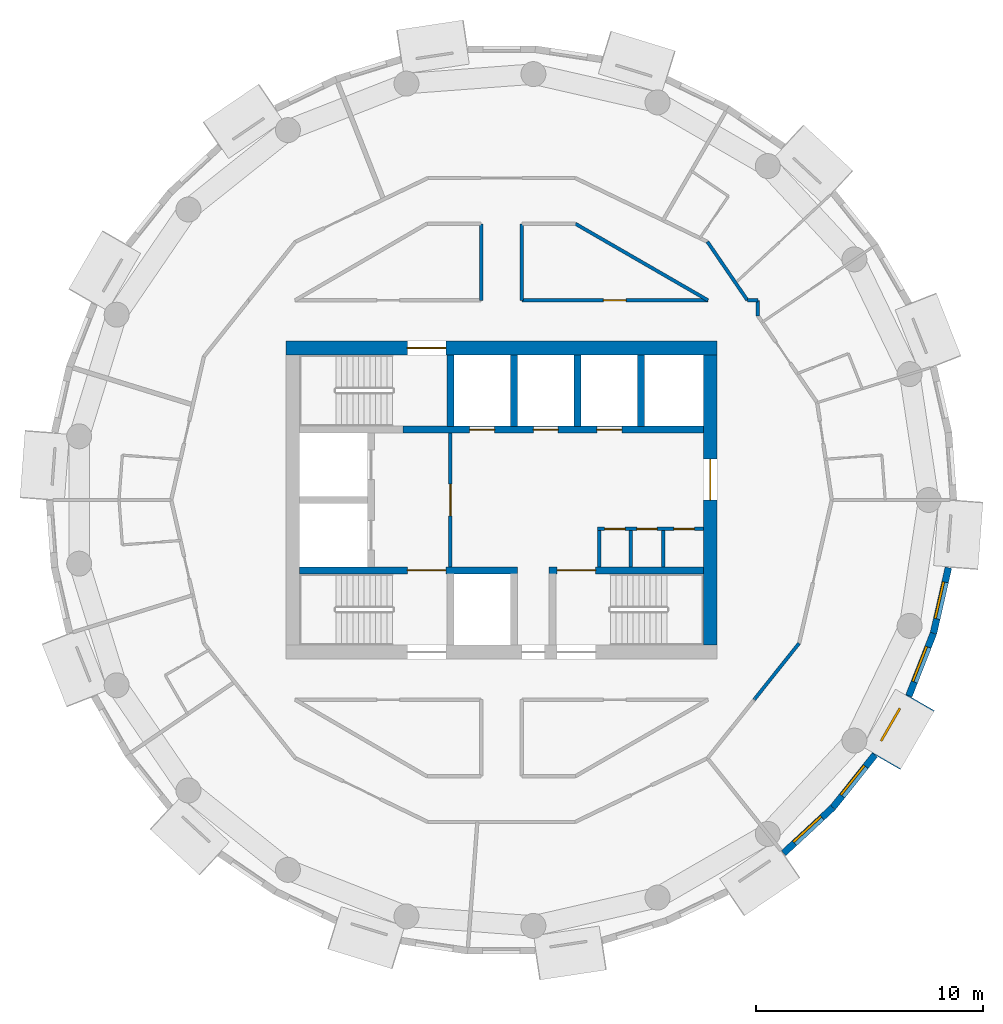
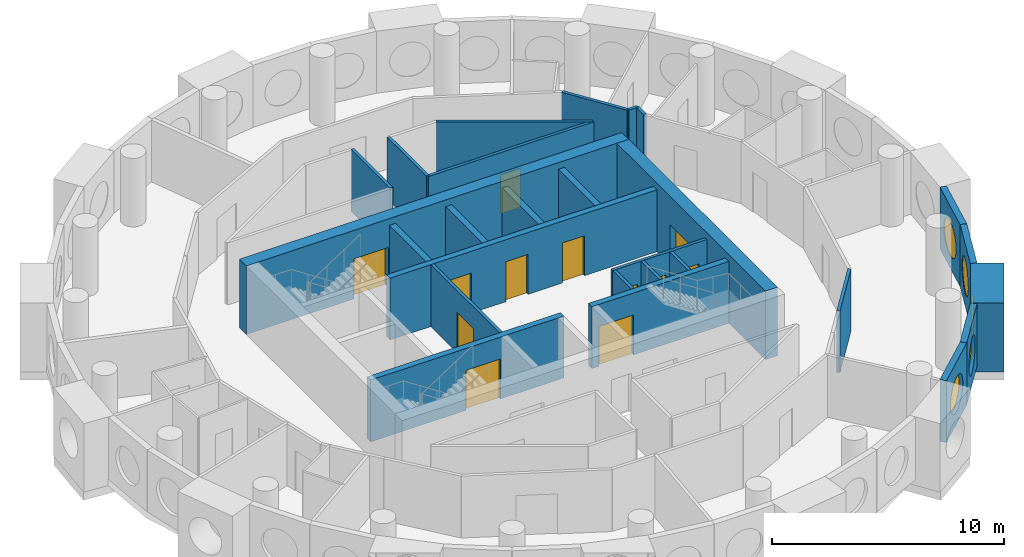
# One storey, part 8 of 12: 27 walls, 12 doors, 5 windows, 17 openings.
"""IFC4 building model written with IfcOpenShell, lengths in metres."""

from ifc_helpers import new_model, si_unit, direction, frame, frame_2d, origin, origin_2d, place, context, subcontext, project, spatial, rectangle, circle, extrude, material, layer, layer_set, type_object, element, fill, save


model = new_model("IFC4")

# Units and contexts
model_context = context("Model", 3, precision=1e-05, world=origin(), true_north=direction((0.0, 1.0)))
body_context = subcontext(model_context, "Body", "Model", "MODEL_VIEW")
ifc_project = project(units=[si_unit("LENGTHUNIT", "METRE"), si_unit("AREAUNIT", "SQUARE_METRE"), si_unit("VOLUMEUNIT", "CUBIC_METRE"), si_unit("PLANEANGLEUNIT", "RADIAN"), si_unit("MASSUNIT", "GRAM", prefix="KILO")], contexts=[model_context])

# Site, building, storey
site_placement = place(None, origin())
site = spatial("IfcSite", under=ifc_project, at=site_placement, CompositionType="ELEMENT")
building_placement = place(site_placement, origin())
building = spatial("IfcBuilding", under=site, at=building_placement, Name="Tracery Tower", CompositionType="ELEMENT")
storey_placement = place(building_placement, frame((0.0, 0.0, 234.60009765625)))
storey = spatial("IfcBuildingStorey", under=building, at=storey_placement, Name="L60", CompositionType="ELEMENT", Elevation=234.60009765625)

# Wall, opening, door
ifc_material_1 = material(Name="Plasterboard on steel studs", Category="steel")
ifc_layer_1 = layer(ifc_material_1, 0.14990234375)
ifc_layer_set_1 = layer_set([ifc_layer_1], Name="Core lobby partition 150")
wall_type_1 = type_object("IfcWallType", Name="Core lobby partition 150", PredefinedType="SOLIDWALL", material=ifc_layer_set_1)
wall_1_placement = place(storey_placement, frame((-2.25, -2.949951171875, 0.0), z_axis=(0.0, 0.0, 1.0), x_axis=(0.0, 1.0, 0.0)))
wall_1 = element("IfcWall", 1, at=wall_1_placement, inside=storey, type_object=wall_type_1, Name="L60 FF lobby E", PredefinedType="SOLIDWALL", context=body_context, shape_type="SweptSolid", body=[
    extrude(rectangle(XDim=5.89990234375, YDim=0.14990234375, at=frame_2d((2.949951171875, 0.0))), origin(), (0.0, 0.0, 1.0), 3.25),
])
opening_1_placement = place(wall_1_placement, frame((2.25, 0.0, 0.0)))
opening_1 = element("IfcOpeningElement", 2, at=opening_1_placement, cuts=wall_1, Name="Opening KD8", PredefinedType="OPENING", context=body_context, shape_type="SweptSolid", body=[
    extrude(rectangle(XDim=1.39990234375, YDim=2.10009765625, at=frame_2d((0.699951171875, 1.050048828125))), frame((0.0, 0.074951171875, 0.0), z_axis=(0.0, -1.0, 0.0), x_axis=(1.0, 0.0, 0.0)), (0.0, 0.0, 1.0), 0.14990234375),
])
ifc_material_2 = material(Name="Steel fire door", Category="steel")
door_type_1 = type_object("IfcDoorType", Name="Core lobby door 1400 double", OperationType="NOTDEFINED", PredefinedType="DOOR", material=ifc_material_2)
door_1_placement = place(opening_1_placement, origin())
door_1 = element("IfcDoor", 3, at=door_1_placement, inside=storey, type_object=door_type_1, Name="Fire-fighting lobby door", OperationType="DOUBLE_DOOR_SINGLE_SWING", OverallHeight=2.10009765625, OverallWidth=1.39990234375, PredefinedType="DOOR", context=body_context, shape_type="SweptSolid", body=[
    extrude(rectangle(XDim=1.39990234375, YDim=2.10009765625, at=frame_2d((0.699951171875, 1.050048828125))), frame((0.0, 0.02490234375, 0.0), z_axis=(0.0, -1.0, 0.0), x_axis=(1.0, 0.0, 0.0)), (0.0, 0.0, 1.0), 0.050048828125),
])
fill(opening_1, door_1)

# Wall
ifc_material_3 = material(Name="Plasterboard on steel studs", Category="steel")
ifc_layer_2 = layer(ifc_material_3, 0.14990234375)
ifc_layer_set_2 = layer_set([ifc_layer_2], Name="Core room partition 150")
wall_type_2 = type_object("IfcWallType", Name="Core room partition 150", PredefinedType="SOLIDWALL", material=ifc_layer_set_2)
wall_2_placement = place(storey_placement, frame((4.300048828125, -2.949951171875, 0.0), z_axis=(0.0, 0.0, 1.0), x_axis=(0.0, 1.0, 0.0)))
element("IfcWall", 4, at=wall_2_placement, inside=storey, type_object=wall_type_2, Name="L60 slot W", PredefinedType="SOLIDWALL", context=body_context, shape_type="SweptSolid", body=[
    extrude(rectangle(XDim=1.599853515625, YDim=0.14990234375, at=frame_2d((0.7998046875, 0.0))), origin(), (0.0, 0.0, 1.0), 3.25),
])

# Wall, openings, doors
wall_3_placement = place(storey_placement, frame((4.22509765625, -1.27490234375, 0.0), z_axis=(0.0, 0.0, 1.0), x_axis=(1.0, 0.0, 0.0)))
wall_3 = element("IfcWall", 5, at=wall_3_placement, inside=storey, type_object=wall_type_2, Name="L60 slot N", PredefinedType="SOLIDWALL", context=body_context, shape_type="SweptSolid", body=[
    extrude(rectangle(XDim=4.6748046875, YDim=0.14990234375, at=frame_2d((2.33740234375, 0.0))), origin(), (0.0, 0.0, 1.0), 3.25),
])
opening_2_placement = place(wall_3_placement, frame((0.324951171875, 0.0, 0.0)))
opening_2 = element("IfcOpeningElement", 6, at=opening_2_placement, cuts=wall_3, Name="Opening KD27", PredefinedType="OPENING", context=body_context, shape_type="SweptSolid", body=[
    extrude(rectangle(XDim=0.89990234375, YDim=2.10009765625, at=frame_2d((0.449951171875, 1.050048828125))), frame((0.0, 0.074951171875, 0.0), z_axis=(0.0, -1.0, 0.0), x_axis=(1.0, 0.0, 0.0)), (0.0, 0.0, 1.0), 0.14990234375),
])
opening_3_placement = place(wall_3_placement, frame((1.737548828125, 0.0, 0.0)))
opening_3 = element("IfcOpeningElement", 7, at=opening_3_placement, cuts=wall_3, Name="Opening KD26", PredefinedType="OPENING", context=body_context, shape_type="SweptSolid", body=[
    extrude(rectangle(XDim=0.89990234375, YDim=2.10009765625, at=frame_2d((0.449951171875, 1.050048828125))), frame((0.0, 0.074951171875, 0.0), z_axis=(0.0, -1.0, 0.0), x_axis=(1.0, 0.0, 0.0)), (0.0, 0.0, 1.0), 0.14990234375),
])
opening_4_placement = place(wall_3_placement, frame((3.375, 0.0, 0.0)))
opening_4 = element("IfcOpeningElement", 8, at=opening_4_placement, cuts=wall_3, Name="Opening KD22", PredefinedType="OPENING", context=body_context, shape_type="SweptSolid", body=[
    extrude(rectangle(XDim=0.89990234375, YDim=2.10009765625, at=frame_2d((0.449951171875, 1.050048828125))), frame((0.0, 0.074951171875, 0.0), z_axis=(0.0, -1.0, 0.0), x_axis=(1.0, 0.0, 0.0)), (0.0, 0.0, 1.0), 0.14990234375),
])
ifc_material_4 = material(Name="Timber door leaf", Category="wood")
door_type_2 = type_object("IfcDoorType", Name="Core WC door 900", OperationType="NOTDEFINED", PredefinedType="DOOR", material=ifc_material_4)
door_2_placement = place(opening_4_placement, origin())
door_2 = element("IfcDoor", 9, at=door_2_placement, inside=storey, type_object=door_type_2, Name="Core door", OperationType="SINGLE_SWING_RIGHT", OverallHeight=2.10009765625, OverallWidth=0.89990234375, PredefinedType="DOOR", context=body_context, shape_type="SweptSolid", body=[
    extrude(rectangle(XDim=0.89990234375, YDim=2.10009765625, at=frame_2d((0.449951171875, 1.050048828125))), frame((0.0, 0.02490234375, 0.0), z_axis=(0.0, -1.0, 0.0), x_axis=(1.0, 0.0, 0.0)), (0.0, 0.0, 1.0), 0.050048828125),
])
fill(opening_4, door_2)
ifc_material_5 = material(Name="Timber door leaf", Category="wood")
door_type_3 = type_object("IfcDoorType", Name="Core store door 900", OperationType="NOTDEFINED", PredefinedType="DOOR", material=ifc_material_5)
door_3_placement = place(opening_2_placement, origin())
door_3 = element("IfcDoor", 10, at=door_3_placement, inside=storey, type_object=door_type_3, Name="Core door", OperationType="SINGLE_SWING_RIGHT", OverallHeight=2.10009765625, OverallWidth=0.89990234375, PredefinedType="DOOR", context=body_context, shape_type="SweptSolid", body=[
    extrude(rectangle(XDim=0.89990234375, YDim=2.10009765625, at=frame_2d((0.449951171875, 1.050048828125))), frame((0.0, 0.02490234375, 0.0), z_axis=(0.0, -1.0, 0.0), x_axis=(1.0, 0.0, 0.0)), (0.0, 0.0, 1.0), 0.050048828125),
])
fill(opening_2, door_3)
door_4_placement = place(opening_3_placement, origin())
door_4 = element("IfcDoor", 11, at=door_4_placement, inside=storey, type_object=door_type_3, Name="Core door", OperationType="SINGLE_SWING_LEFT", OverallHeight=2.10009765625, OverallWidth=0.89990234375, PredefinedType="DOOR", context=body_context, shape_type="SweptSolid", body=[
    extrude(rectangle(XDim=0.89990234375, YDim=2.10009765625, at=frame_2d((0.449951171875, 1.050048828125))), frame((0.0, 0.02490234375, 0.0), z_axis=(0.0, -1.0, 0.0), x_axis=(1.0, 0.0, 0.0)), (0.0, 0.0, 1.0), 0.050048828125),
])
fill(opening_3, door_4)

# Walls
for number, where, z_axis, x_axis, name in (
    (12, (5.699951171875, -2.949951171875, 0.0), (0.0, 0.0, 1.0), (0.0, 1.0, 0.0), "L60 slot sep 1"),
    (13, (7.125, -2.949951171875, 0.0), (0.0, 0.0, 1.0), (0.0, 1.0, 0.0), "L60 slot sep 2"),
):
    element("IfcWall", number, at=place(storey_placement, frame(where, z_axis=z_axis, x_axis=x_axis)), inside=storey, type_object=wall_type_2, Name=name, PredefinedType="SOLIDWALL", context=body_context, shape_type="SweptSolid", body=[
        extrude(rectangle(XDim=1.599853515625, YDim=0.14990234375, at=frame_2d((0.7998046875, 0.0))), origin(), (0.0, 0.0, 1.0), 3.25),
    ])

# Wall, opening, door
ifc_material_6 = material(Name="Concrete C40/50", Category="concrete")
ifc_layer_3 = layer(ifc_material_6, 0.60009765625)
ifc_layer_set_3 = layer_set([ifc_layer_3], Name="Core wall 600 C40")
wall_type_3 = type_object("IfcWallType", Name="Core wall 600 C40", PredefinedType="SOLIDWALL", material=ifc_layer_set_3)
wall_4_placement = place(storey_placement, frame((-9.5, 6.699951171875, 0.0), z_axis=(0.0, 0.0, 1.0), x_axis=(1.0, 0.0, 0.0)))
wall_4 = element("IfcWall", 14, at=wall_4_placement, inside=storey, type_object=wall_type_3, Name="L60 outer N", PredefinedType="SOLIDWALL", context=body_context, shape_type="SweptSolid", body=[
    extrude(rectangle(XDim=19.0, YDim=0.60009765625, at=frame_2d((9.5, 0.0))), origin(), (0.0, 0.0, 1.0), 3.599853515625),
])
opening_5_placement = place(wall_4_placement, frame((5.35009765625, 0.0, 0.0)))
opening_5 = element("IfcOpeningElement", 15, at=opening_5_placement, cuts=wall_4, Name="Opening KD3", PredefinedType="OPENING", context=body_context, shape_type="SweptSolid", body=[
    extrude(rectangle(XDim=1.699951171875, YDim=2.10009765625, at=frame_2d((0.85009765625, 1.050048828125))), frame((0.0, 0.300048828125, 0.0), z_axis=(0.0, -1.0, 0.0), x_axis=(1.0, 0.0, 0.0)), (0.0, 0.0, 1.0), 0.60009765625),
])
ifc_material_7 = material(Name="Steel fire door", Category="steel")
door_type_4 = type_object("IfcDoorType", Name="Core stair door 1700 double", OperationType="NOTDEFINED", PredefinedType="DOOR", material=ifc_material_7)
door_5_placement = place(opening_5_placement, origin())
door_5 = element("IfcDoor", 16, at=door_5_placement, inside=storey, type_object=door_type_4, Name="Stair door ST3 exit", OperationType="DOUBLE_DOOR_SINGLE_SWING", OverallHeight=2.10009765625, OverallWidth=1.699951171875, PredefinedType="DOOR", context=body_context, shape_type="SweptSolid", body=[
    extrude(rectangle(XDim=1.699951171875, YDim=2.10009765625, at=frame_2d((0.85009765625, 1.050048828125))), frame((0.0, 0.02490234375, 0.0), z_axis=(0.0, -1.0, 0.0), x_axis=(1.0, 0.0, 0.0)), (0.0, 0.0, 1.0), 0.050048828125),
])
fill(opening_5, door_5)

wall_5_placement = place(storey_placement, frame((9.199951171875, -6.39990234375, 0.0), z_axis=(0.0, 0.0, 1.0), x_axis=(0.0, 1.0, 0.0)))
wall_5 = element("IfcWall", 17, at=wall_5_placement, inside=storey, type_object=wall_type_3, Name="L60 outer E", PredefinedType="SOLIDWALL", context=body_context, shape_type="SweptSolid", body=[
    extrude(rectangle(XDim=12.7998046875, YDim=0.60009765625, at=frame_2d((6.39990234375, 0.0))), origin(), (0.0, 0.0, 1.0), 3.599853515625),
])
opening_6_placement = place(wall_5_placement, frame((6.39990234375, 0.0, 0.0)))
opening_6 = element("IfcOpeningElement", 18, at=opening_6_placement, cuts=wall_5, Name="Opening KD13", PredefinedType="OPENING", context=body_context, shape_type="SweptSolid", body=[
    extrude(rectangle(XDim=1.800048828125, YDim=2.10009765625, at=frame_2d((0.89990234375, 1.050048828125))), frame((0.0, 0.300048828125, 0.0), z_axis=(0.0, -1.0, 0.0), x_axis=(1.0, 0.0, 0.0)), (0.0, 0.0, 1.0), 0.60009765625),
])
ifc_material_8 = material(Name="Steel fire door", Category="steel")
door_type_5 = type_object("IfcDoorType", Name="Core exit door 1800 double", OperationType="NOTDEFINED", PredefinedType="DOOR", material=ifc_material_8)
door_6_placement = place(opening_6_placement, origin())
door_6 = element("IfcDoor", 19, at=door_6_placement, inside=storey, type_object=door_type_5, Name="Core exit door", OperationType="DOUBLE_DOOR_SINGLE_SWING", OverallHeight=2.10009765625, OverallWidth=1.800048828125, PredefinedType="DOOR", context=body_context, shape_type="SweptSolid", body=[
    extrude(rectangle(XDim=1.800048828125, YDim=2.10009765625, at=frame_2d((0.89990234375, 1.050048828125))), frame((0.0, 0.02490234375, 0.0), z_axis=(0.0, -1.0, 0.0), x_axis=(1.0, 0.0, 0.0)), (0.0, 0.0, 1.0), 0.050048828125),
])
fill(opening_6, door_6)

# Wall, opening, window
ifc_material_9 = material(Name="Precast concrete C50/60", Category="concrete")
ifc_layer_4 = layer(ifc_material_9, 1.449951171875)
ifc_layer_set_4 = layer_set([ifc_layer_4], Name="Deep-set bay unit 3000 x 3600, slab edge 350")
wall_type_4 = type_object("IfcWallType", Name="Deep-set bay unit 3000 x 3600, slab edge 350", PredefinedType="ELEMENTEDWALL", material=ifc_layer_set_4)
wall_6_placement = place(storey_placement, frame((16.952392578125, -11.51953125, -0.35009765625), z_axis=(0.0, 0.0, 1.0), x_axis=(0.499990139034, 0.866031096941, 0.0)))
wall_6 = element("IfcWall", 20, at=wall_6_placement, inside=storey, type_object=wall_type_4, Name="Deep-set bay unit 39 at L60", PredefinedType="ELEMENTEDWALL", context=body_context, shape_type="SweptSolid", body=[
    extrude(rectangle(XDim=3.0, YDim=1.449951171875, at=frame_2d((1.5, 0.0))), origin(), (0.0, 0.0, 1.0), 3.60009765625),
])
opening_7_placement = place(wall_6_placement, frame((1.5, 0.0, 1.89990234375)))
opening_7 = element("IfcOpeningElement", 21, at=opening_7_placement, cuts=wall_6, Name="Opening WN1", PredefinedType="OPENING", context=body_context, shape_type="SweptSolid", body=[
    extrude(circle(Radius=0.9000244140625, at=origin_2d()), frame((0.0, 0.73486328125, 0.0), z_axis=(0.0, -1.0, 0.0), x_axis=(1.0, 0.0, 0.0)), (0.0, 0.0, 1.0), 1.469970703125),
])
ifc_material_10 = material(Name="Aluminium frame with tinted double glazing", Category="aluminium")
window_type = type_object("IfcWindowType", Name="Round window 1800", PartitioningType="SINGLE_PANEL", PredefinedType="WINDOW", material=ifc_material_10)
window_1_placement = place(opening_7_placement, origin())
window_1 = element("IfcWindow", 22, at=window_1_placement, inside=storey, type_object=window_type, Name="Round window 39 at L60", OverallHeight=1.800048828125, OverallWidth=1.800048828125, PartitioningType="SINGLE_PANEL", PredefinedType="WINDOW", context=body_context, shape_type="SweptSolid", body=[
    extrude(circle(Radius=0.9000244140625, at=origin_2d()), frame((0.0, 0.69482421875, 0.0), z_axis=(0.0, -1.0, 0.0), x_axis=(1.0, 0.0, 0.0)), (0.0, 0.0, 1.0), 0.10009765625),
])
fill(opening_7, window_1)

ifc_material_11 = material(Name="Precast concrete C50/60", Category="concrete")
ifc_layer_5 = layer(ifc_material_11, 0.300048828125)
ifc_layer_set_5 = layer_set([ifc_layer_5], Name="Facade panel 3000 x 3250")
wall_type_5 = type_object("IfcWallType", Name="Facade panel 3000 x 3250", PredefinedType="SOLIDWALL", material=ifc_layer_set_5)
wall_7_placement = place(storey_placement, frame((12.43212890625, -15.565185546875, 0.0), z_axis=(0.0, 0.0, 1.0), x_axis=(0.733066412643, 0.680157066165, 0.0)))
wall_7 = element("IfcWall", 23, at=wall_7_placement, inside=storey, type_object=wall_type_5, Name="Facade panel 37 at L60", PredefinedType="SOLIDWALL", context=body_context, shape_type="SweptSolid", body=[
    extrude(rectangle(XDim=2.96240234375, YDim=0.300048828125, at=frame_2d((1.481201171875, 0.0))), origin(), (0.0, 0.0, 1.0), 3.25),
])
opening_8_placement = place(wall_7_placement, frame((1.48095703125, 0.0, 1.5498046875)))
opening_8 = element("IfcOpeningElement", 24, at=opening_8_placement, cuts=wall_7, Name="Opening WN1", PredefinedType="OPENING", context=body_context, shape_type="SweptSolid", body=[
    extrude(circle(Radius=0.9000244140625, at=origin_2d()), frame((0.0, 0.159912109375, 0.0), z_axis=(0.0, -1.0, 0.0), x_axis=(1.0, 0.0, 0.0)), (0.0, 0.0, 1.0), 0.320068359375),
])
window_2_placement = place(opening_8_placement, origin())
window_2 = element("IfcWindow", 25, at=window_2_placement, inside=storey, type_object=window_type, Name="Round window 37 at L60", OverallHeight=1.800048828125, OverallWidth=1.800048828125, PartitioningType="SINGLE_PANEL", PredefinedType="WINDOW", context=body_context, shape_type="SweptSolid", body=[
    extrude(circle(Radius=0.9000244140625, at=origin_2d()), frame((0.0, 0.1201171875, 0.0), z_axis=(0.0, -1.0, 0.0), x_axis=(1.0, 0.0, 0.0)), (0.0, 0.0, 1.0), 0.10009765625),
])
fill(opening_8, window_2)

wall_8_placement = place(storey_placement, frame((14.603759765625, -13.55029296875, 0.0), z_axis=(0.0, 0.0, 1.0), x_axis=(0.623498236992, 0.781824755599, 0.0)))
wall_8 = element("IfcWall", 26, at=wall_8_placement, inside=storey, type_object=wall_type_5, Name="Facade panel 38 at L60", PredefinedType="SOLIDWALL", context=body_context, shape_type="SweptSolid", body=[
    extrude(rectangle(XDim=2.962158203125, YDim=0.300048828125, at=frame_2d((1.48095703125, 0.0))), origin(), (0.0, 0.0, 1.0), 3.25),
])
opening_9_placement = place(wall_8_placement, frame((1.48095703125, 0.0, 1.5498046875)))
opening_9 = element("IfcOpeningElement", 27, at=opening_9_placement, cuts=wall_8, Name="Opening WN1", PredefinedType="OPENING", context=body_context, shape_type="SweptSolid", body=[
    extrude(circle(Radius=0.9000244140625, at=origin_2d()), frame((0.0, 0.159912109375, 0.0), z_axis=(0.0, -1.0, 0.0), x_axis=(1.0, 0.0, 0.0)), (0.0, 0.0, 1.0), 0.320068359375),
])
window_3_placement = place(opening_9_placement, origin())
window_3 = element("IfcWindow", 28, at=window_3_placement, inside=storey, type_object=window_type, Name="Round window 38 at L60", OverallHeight=1.800048828125, OverallWidth=1.800048828125, PartitioningType="SINGLE_PANEL", PredefinedType="WINDOW", context=body_context, shape_type="SweptSolid", body=[
    extrude(circle(Radius=0.9000244140625, at=origin_2d()), frame((0.0, 0.1201171875, 0.0), z_axis=(0.0, -1.0, 0.0), x_axis=(1.0, 0.0, 0.0)), (0.0, 0.0, 1.0), 0.10009765625),
])
fill(opening_9, window_3)

wall_9_placement = place(storey_placement, frame((17.95458984375, -8.62939453125, 0.0), z_axis=(0.0, 0.0, 1.0), x_axis=(0.36530043032, 0.930889679612, 0.0)))
wall_9 = element("IfcWall", 29, at=wall_9_placement, inside=storey, type_object=wall_type_5, Name="Facade panel 40 at L60", PredefinedType="SOLIDWALL", context=body_context, shape_type="SweptSolid", body=[
    extrude(rectangle(XDim=2.9619140625, YDim=0.300048828125, at=frame_2d((1.48095703125, 0.0))), origin(), (0.0, 0.0, 1.0), 3.25),
])
opening_10_placement = place(wall_9_placement, frame((1.48095703125, 0.0, 1.5498046875)))
opening_10 = element("IfcOpeningElement", 30, at=opening_10_placement, cuts=wall_9, Name="Opening WN1", PredefinedType="OPENING", context=body_context, shape_type="SweptSolid", body=[
    extrude(circle(Radius=0.9000244140625, at=origin_2d()), frame((0.0, 0.159912109375, 0.0), z_axis=(0.0, -1.0, 0.0), x_axis=(1.0, 0.0, 0.0)), (0.0, 0.0, 1.0), 0.320068359375),
])
window_4_placement = place(opening_10_placement, origin())
window_4 = element("IfcWindow", 31, at=window_4_placement, inside=storey, type_object=window_type, Name="Round window 40 at L60", OverallHeight=1.800048828125, OverallWidth=1.800048828125, PartitioningType="SINGLE_PANEL", PredefinedType="WINDOW", context=body_context, shape_type="SweptSolid", body=[
    extrude(circle(Radius=0.9000244140625, at=origin_2d()), frame((0.0, 0.1201171875, 0.0), z_axis=(0.0, -1.0, 0.0), x_axis=(1.0, 0.0, 0.0)), (0.0, 0.0, 1.0), 0.10009765625),
])
fill(opening_10, window_4)

wall_10_placement = place(storey_placement, frame((19.03662109375, -5.8720703125, 0.0), z_axis=(0.0, 0.0, 1.0), x_axis=(0.222529389789, 0.974925982155, 0.0)))
wall_10 = element("IfcWall", 32, at=wall_10_placement, inside=storey, type_object=wall_type_5, Name="Facade panel 41 at L60", PredefinedType="SOLIDWALL", context=body_context, shape_type="SweptSolid", body=[
    extrude(rectangle(XDim=2.962158203125, YDim=0.300048828125, at=frame_2d((1.48095703125, 0.0))), origin(), (0.0, 0.0, 1.0), 3.25),
])
opening_11_placement = place(wall_10_placement, frame((1.48095703125, 0.0, 1.5498046875)))
opening_11 = element("IfcOpeningElement", 33, at=opening_11_placement, cuts=wall_10, Name="Opening WN1", PredefinedType="OPENING", context=body_context, shape_type="SweptSolid", body=[
    extrude(circle(Radius=0.9000244140625, at=origin_2d()), frame((0.0, 0.159912109375, 0.0), z_axis=(0.0, -1.0, 0.0), x_axis=(1.0, 0.0, 0.0)), (0.0, 0.0, 1.0), 0.320068359375),
])
window_5_placement = place(opening_11_placement, origin())
window_5 = element("IfcWindow", 34, at=window_5_placement, inside=storey, type_object=window_type, Name="Round window 41 at L60", OverallHeight=1.800048828125, OverallWidth=1.800048828125, PartitioningType="SINGLE_PANEL", PredefinedType="WINDOW", context=body_context, shape_type="SweptSolid", body=[
    extrude(circle(Radius=0.9000244140625, at=origin_2d()), frame((0.0, 0.1201171875, 0.0), z_axis=(0.0, -1.0, 0.0), x_axis=(1.0, 0.0, 0.0)), (0.0, 0.0, 1.0), 0.10009765625),
])
fill(opening_11, window_5)

# Wall, opening, door
ifc_material_12 = material(Name="Plasterboard on steel studs", Category="steel")
ifc_layer_6 = layer(ifc_material_12, 0.14990234375)
ifc_layer_set_6 = layer_set([ifc_layer_6], Name="Partition 150 corridor wall")
wall_type_6 = type_object("IfcWallType", Name="Partition 150 corridor wall", PredefinedType="PARTITIONING", material=ifc_layer_set_6)
wall_11_placement = place(storey_placement, frame((0.89599609375, 8.800048828125, 0.0), z_axis=(0.0, 0.0, 1.0), x_axis=(1.0, 0.0, 0.0)))
wall_11 = element("IfcWall", 35, at=wall_11_placement, inside=storey, type_object=wall_type_6, Name="Corridor wall RC1-003", PredefinedType="PARTITIONING", context=body_context, shape_type="SweptSolid", body=[
    extrude(rectangle(XDim=8.20458984375, YDim=0.14990234375, at=frame_2d((4.102294921875, 0.0))), origin(), (0.0, 0.0, 1.0), 3.25),
])
opening_12_placement = place(wall_11_placement, frame((3.597900390625, 0.0, 0.0)))
opening_12 = element("IfcOpeningElement", 36, at=opening_12_placement, cuts=wall_11, Name="Opening RC1-02", PredefinedType="OPENING", context=body_context, shape_type="SweptSolid", body=[
    extrude(rectangle(XDim=1.0, YDim=2.0400390625, at=frame_2d((0.5, 1.02001953125))), frame((0.0, 0.074951171875, 0.0), z_axis=(0.0, -1.0, 0.0), x_axis=(1.0, 0.0, 0.0)), (0.0, 0.0, 1.0), 0.14990234375),
])
ifc_material_13 = material(Name="Timber door leaf", Category="wood")
door_type_6 = type_object("IfcDoorType", Name="Door communal room 1000", OperationType="NOTDEFINED", PredefinedType="DOOR", material=ifc_material_13)
door_7_placement = place(opening_12_placement, origin())
door_7 = element("IfcDoor", 37, at=door_7_placement, inside=storey, type_object=door_type_6, Name="Communal room door RC1-02", OperationType="SINGLE_SWING_RIGHT", OverallHeight=2.0400390625, OverallWidth=1.0, PredefinedType="DOOR", context=body_context, shape_type="SweptSolid", body=[
    extrude(rectangle(XDim=1.0, YDim=2.0400390625, at=frame_2d((0.5, 1.02001953125))), frame((0.0, 0.02490234375, 0.0), z_axis=(0.0, -1.0, 0.0), x_axis=(1.0, 0.0, 0.0)), (0.0, 0.0, 1.0), 0.050048828125),
])
fill(opening_12, door_7)

# Walls
wall_12_placement = place(storey_placement, frame((9.075439453125, 11.380615234375, 0.0), z_axis=(0.0, 0.0, 1.0), x_axis=(0.564277533473, -0.825585165333, 0.0)))
element("IfcWall", 38, at=wall_12_placement, inside=storey, type_object=wall_type_6, Name="Corridor wall RC1-005", PredefinedType="PARTITIONING", context=body_context, shape_type="SweptSolid", body=[
    extrude(rectangle(XDim=3.123291015625, YDim=0.14990234375, at=frame_2d((1.5615234375, 0.0))), origin(), (0.0, 0.0, 1.0), 3.25),
])
wall_13_placement = place(storey_placement, frame((10.839111328125, 8.800048828125, 0.0), z_axis=(0.0, 0.0, 1.0), x_axis=(1.0, 0.0, 0.0)))
element("IfcWall", 39, at=wall_13_placement, inside=storey, type_object=wall_type_6, Name="Corridor wall RC1-006", PredefinedType="PARTITIONING", context=body_context, shape_type="SweptSolid", body=[
    extrude(rectangle(XDim=0.4609375, YDim=0.14990234375, at=frame_2d((0.23046875, 0.0))), origin(), (0.0, 0.0, 1.0), 3.25),
])
wall_14_placement = place(storey_placement, frame((11.300048828125, 8.113037109375, 0.0), z_axis=(0.0, 0.0, 1.0), x_axis=(0.0, 1.0, 0.0)))
element("IfcWall", 40, at=wall_14_placement, inside=storey, type_object=wall_type_6, Name="Corridor wall RC1-007", PredefinedType="PARTITIONING", context=body_context, shape_type="SweptSolid", body=[
    extrude(rectangle(XDim=0.68701171875, YDim=0.14990234375, at=frame_2d((0.343505859375, 0.0))), origin(), (0.0, 0.0, 1.0), 3.25),
])
wall_15_placement = place(storey_placement, frame((11.134033203125, -8.800048828125, 0.0), z_axis=(0.0, 0.0, 1.0), x_axis=(0.623476099415, 0.781842409606, 0.0)))
element("IfcWall", 41, at=wall_15_placement, inside=storey, type_object=wall_type_6, Name="Corridor wall RC1-024", PredefinedType="PARTITIONING", context=body_context, shape_type="SweptSolid", body=[
    extrude(rectangle(XDim=3.17724609375, YDim=0.14990234375, at=frame_2d((1.588623046875, 0.0))), origin(), (0.0, 0.0, 1.0), 3.25),
])
wall_16_placement = place(storey_placement, frame((-0.89990234375, 8.800048828125, 0.0), z_axis=(0.0, 0.0, 1.0), x_axis=(0.0, 1.0, 0.0)))
element("IfcWall", 42, at=wall_16_placement, inside=storey, type_object=wall_type_6, Name="Corridor wall RC1-025", PredefinedType="PARTITIONING", context=body_context, shape_type="SweptSolid", body=[
    extrude(rectangle(XDim=3.370849609375, YDim=0.14990234375, at=frame_2d((1.685546875, 0.0))), origin(), (0.0, 0.0, 1.0), 3.25),
])
wall_17_placement = place(storey_placement, frame((3.260986328125, 12.1708984375, 0.0), z_axis=(0.0, 0.0, 1.0), x_axis=(0.866066809554, -0.499928276245, 0.0)))
element("IfcWall", 43, at=wall_17_placement, inside=storey, type_object=wall_type_6, Name="Corridor wall RC1-027", PredefinedType="PARTITIONING", context=body_context, shape_type="SweptSolid", body=[
    extrude(rectangle(XDim=6.74267578125, YDim=0.14990234375, at=frame_2d((3.371337890625, 0.0))), origin(), (0.0, 0.0, 1.0), 3.25),
])
wall_18_placement = place(storey_placement, frame((0.89990234375, 8.800048828125, 0.0), z_axis=(0.0, 0.0, 1.0), x_axis=(0.0, 1.0, 0.0)))
element("IfcWall", 44, at=wall_18_placement, inside=storey, type_object=wall_type_6, Name="Corridor wall RC1-029", PredefinedType="PARTITIONING", context=body_context, shape_type="SweptSolid", body=[
    extrude(rectangle(XDim=3.370849609375, YDim=0.14990234375, at=frame_2d((1.685546875, 0.0))), origin(), (0.0, 0.0, 1.0), 3.25),
])
ifc_material_14 = material(Name="Concrete C40/50", Category="concrete")
ifc_layer_7 = layer(ifc_material_14, 0.300048828125)
ifc_layer_set_7 = layer_set([ifc_layer_7], Name="Shaft wall 300 C40")
wall_type_7 = type_object("IfcWallType", Name="Shaft wall 300 C40", PredefinedType="SOLIDWALL", material=ifc_layer_set_7)
for number, where, z_axis, x_axis, name in (
    (45, (0.550048828125, 3.25, 0.0), (0.0, 0.0, 1.0), (0.0, 1.0, 0.0), "L60 HR sep 1"),
    (46, (3.35009765625, 3.25, 0.0), (0.0, 0.0, 1.0), (0.0, 1.0, 0.0), "L60 HR sep 2"),
    (47, (6.14990234375, 3.25, 0.0), (0.0, 0.0, 1.0), (0.0, 1.0, 0.0), "L60 HR sep 3"),
):
    element("IfcWall", number, at=place(storey_placement, frame(where, z_axis=z_axis, x_axis=x_axis)), inside=storey, type_object=wall_type_7, Name=name, PredefinedType="SOLIDWALL", context=body_context, shape_type="SweptSolid", body=[
        extrude(rectangle(XDim=3.14990234375, YDim=0.300048828125, at=frame_2d((1.574951171875, 0.0))), origin(), (0.0, 0.0, 1.0), 3.25),
    ])

# Wall, opening, door
ifc_material_15 = material(Name="Concrete C40/50", Category="concrete")
ifc_layer_8 = layer(ifc_material_15, 0.300048828125)
ifc_layer_set_8 = layer_set([ifc_layer_8], Name="Stair wall 300 C40")
wall_type_8 = type_object("IfcWallType", Name="Stair wall 300 C40", PredefinedType="SOLIDWALL", material=ifc_layer_set_8)
wall_19_placement = place(storey_placement, frame((-8.89990234375, -3.10009765625, 0.0), z_axis=(0.0, 0.0, 1.0), x_axis=(1.0, 0.0, 0.0)))
wall_19 = element("IfcWall", 48, at=wall_19_placement, inside=storey, type_object=wall_type_8, Name="L60 row S", PredefinedType="SOLIDWALL", context=body_context, shape_type="SweptSolid", body=[
    extrude(rectangle(XDim=9.599853515625, YDim=0.300048828125, at=frame_2d((4.7998046875, 0.0))), origin(), (0.0, 0.0, 1.0), 3.25),
])
opening_13_placement = place(wall_19_placement, frame((4.75, 0.0, 0.0)))
opening_13 = element("IfcOpeningElement", 49, at=opening_13_placement, cuts=wall_19, Name="Opening KD3", PredefinedType="OPENING", context=body_context, shape_type="SweptSolid", body=[
    extrude(rectangle(XDim=1.699951171875, YDim=2.10009765625, at=frame_2d((0.85009765625, 1.050048828125))), frame((0.0, 0.14990234375, 0.0), z_axis=(0.0, -1.0, 0.0), x_axis=(1.0, 0.0, 0.0)), (0.0, 0.0, 1.0), 0.300048828125),
])
door_8_placement = place(opening_13_placement, origin())
door_8 = element("IfcDoor", 50, at=door_8_placement, inside=storey, type_object=door_type_4, Name="Stair door ST1", OperationType="DOUBLE_DOOR_SINGLE_SWING", OverallHeight=2.10009765625, OverallWidth=1.699951171875, PredefinedType="DOOR", context=body_context, shape_type="SweptSolid", body=[
    extrude(rectangle(XDim=1.699951171875, YDim=2.10009765625, at=frame_2d((0.85009765625, 1.050048828125))), frame((0.0, 0.02490234375, 0.0), z_axis=(0.0, -1.0, 0.0), x_axis=(1.0, 0.0, 0.0)), (0.0, 0.0, 1.0), 0.050048828125),
])
fill(opening_13, door_8)

wall_20_placement = place(storey_placement, frame((2.10009765625, -3.10009765625, 0.0), z_axis=(0.0, 0.0, 1.0), x_axis=(1.0, 0.0, 0.0)))
wall_20 = element("IfcWall", 51, at=wall_20_placement, inside=storey, type_object=wall_type_8, Name="L60 row S E", PredefinedType="SOLIDWALL", context=body_context, shape_type="SweptSolid", body=[
    extrude(rectangle(XDim=6.7998046875, YDim=0.300048828125, at=frame_2d((3.39990234375, 0.0))), origin(), (0.0, 0.0, 1.0), 3.25),
])
opening_14_placement = place(wall_20_placement, frame((0.35009765625, 0.0, 0.0)))
opening_14 = element("IfcOpeningElement", 52, at=opening_14_placement, cuts=wall_20, Name="Opening KD3", PredefinedType="OPENING", context=body_context, shape_type="SweptSolid", body=[
    extrude(rectangle(XDim=1.699951171875, YDim=2.10009765625, at=frame_2d((0.85009765625, 1.050048828125))), frame((0.0, 0.14990234375, 0.0), z_axis=(0.0, -1.0, 0.0), x_axis=(1.0, 0.0, 0.0)), (0.0, 0.0, 1.0), 0.300048828125),
])
door_9_placement = place(opening_14_placement, origin())
door_9 = element("IfcDoor", 53, at=door_9_placement, inside=storey, type_object=door_type_4, Name="Stair door ST2", OperationType="DOUBLE_DOOR_SINGLE_SWING", OverallHeight=2.10009765625, OverallWidth=1.699951171875, PredefinedType="DOOR", context=body_context, shape_type="SweptSolid", body=[
    extrude(rectangle(XDim=1.699951171875, YDim=2.10009765625, at=frame_2d((0.85009765625, 1.050048828125))), frame((0.0, 0.02490234375, 0.0), z_axis=(0.0, -1.0, 0.0), x_axis=(1.0, 0.0, 0.0)), (0.0, 0.0, 1.0), 0.050048828125),
])
fill(opening_14, door_9)

# Wall, openings, doors
wall_21_placement = place(storey_placement, frame((-4.35009765625, 3.10009765625, 0.0), z_axis=(0.0, 0.0, 1.0), x_axis=(1.0, 0.0, 0.0)))
wall_21 = element("IfcWall", 54, at=wall_21_placement, inside=storey, type_object=wall_type_8, Name="L60 row N", PredefinedType="SOLIDWALL", context=body_context, shape_type="SweptSolid", body=[
    extrude(rectangle(XDim=13.25, YDim=0.300048828125, at=frame_2d((6.625, 0.0))), origin(), (0.0, 0.0, 1.0), 3.25),
])
opening_15_placement = place(wall_21_placement, frame((2.949951171875, 0.0, 0.0)))
opening_15 = element("IfcOpeningElement", 55, at=opening_15_placement, cuts=wall_21, Name="Opening KD49", PredefinedType="OPENING", context=body_context, shape_type="SweptSolid", body=[
    extrude(rectangle(XDim=1.10009765625, YDim=2.10009765625, at=frame_2d((0.550048828125, 1.050048828125))), frame((0.0, 0.14990234375, 0.0), z_axis=(0.0, -1.0, 0.0), x_axis=(1.0, 0.0, 0.0)), (0.0, 0.0, 1.0), 0.300048828125),
])
opening_16_placement = place(wall_21_placement, frame((5.75, 0.0, 0.0)))
opening_16 = element("IfcOpeningElement", 56, at=opening_16_placement, cuts=wall_21, Name="Opening KD50", PredefinedType="OPENING", context=body_context, shape_type="SweptSolid", body=[
    extrude(rectangle(XDim=1.10009765625, YDim=2.10009765625, at=frame_2d((0.550048828125, 1.050048828125))), frame((0.0, 0.14990234375, 0.0), z_axis=(0.0, -1.0, 0.0), x_axis=(1.0, 0.0, 0.0)), (0.0, 0.0, 1.0), 0.300048828125),
])
opening_17_placement = place(wall_21_placement, frame((8.550048828125, 0.0, 0.0)))
opening_17 = element("IfcOpeningElement", 57, at=opening_17_placement, cuts=wall_21, Name="Opening KD49", PredefinedType="OPENING", context=body_context, shape_type="SweptSolid", body=[
    extrude(rectangle(XDim=1.10009765625, YDim=2.10009765625, at=frame_2d((0.550048828125, 1.050048828125))), frame((0.0, 0.14990234375, 0.0), z_axis=(0.0, -1.0, 0.0), x_axis=(1.0, 0.0, 0.0)), (0.0, 0.0, 1.0), 0.300048828125),
])
ifc_material_16 = material(Name="Steel fire door", Category="steel")
door_type_7 = type_object("IfcDoorType", Name="Landing door 1100", OperationType="NOTDEFINED", PredefinedType="DOOR", material=ifc_material_16)
door_10_placement = place(opening_15_placement, origin())
door_10 = element("IfcDoor", 58, at=door_10_placement, inside=storey, type_object=door_type_7, Name="Landing door HR1", OperationType="SLIDING_TO_LEFT", OverallHeight=2.10009765625, OverallWidth=1.10009765625, PredefinedType="DOOR", context=body_context, shape_type="SweptSolid", body=[
    extrude(rectangle(XDim=1.10009765625, YDim=2.10009765625, at=frame_2d((0.550048828125, 1.050048828125))), frame((0.0, 0.02490234375, 0.0), z_axis=(0.0, -1.0, 0.0), x_axis=(1.0, 0.0, 0.0)), (0.0, 0.0, 1.0), 0.050048828125),
])
fill(opening_15, door_10)
door_11_placement = place(opening_16_placement, origin())
door_11 = element("IfcDoor", 59, at=door_11_placement, inside=storey, type_object=door_type_7, Name="Landing door HR2", OperationType="SLIDING_TO_RIGHT", OverallHeight=2.10009765625, OverallWidth=1.10009765625, PredefinedType="DOOR", context=body_context, shape_type="SweptSolid", body=[
    extrude(rectangle(XDim=1.10009765625, YDim=2.10009765625, at=frame_2d((0.550048828125, 1.050048828125))), frame((0.0, 0.02490234375, 0.0), z_axis=(0.0, -1.0, 0.0), x_axis=(1.0, 0.0, 0.0)), (0.0, 0.0, 1.0), 0.050048828125),
])
fill(opening_16, door_11)
door_12_placement = place(opening_17_placement, origin())
door_12 = element("IfcDoor", 60, at=door_12_placement, inside=storey, type_object=door_type_7, Name="Landing door HR3", OperationType="SLIDING_TO_LEFT", OverallHeight=2.10009765625, OverallWidth=1.10009765625, PredefinedType="DOOR", context=body_context, shape_type="SweptSolid", body=[
    extrude(rectangle(XDim=1.10009765625, YDim=2.10009765625, at=frame_2d((0.550048828125, 1.050048828125))), frame((0.0, 0.02490234375, 0.0), z_axis=(0.0, -1.0, 0.0), x_axis=(1.0, 0.0, 0.0)), (0.0, 0.0, 1.0), 0.050048828125),
])
fill(opening_17, door_12)

# Wall
wall_22_placement = place(storey_placement, frame((-2.25, 3.25, 0.0), z_axis=(0.0, 0.0, 1.0), x_axis=(0.0, 1.0, 0.0)))
element("IfcWall", 61, at=wall_22_placement, inside=storey, type_object=wall_type_8, Name="L60 ST3 E", PredefinedType="SOLIDWALL", context=body_context, shape_type="SweptSolid", body=[
    extrude(rectangle(XDim=3.14990234375, YDim=0.300048828125, at=frame_2d((1.574951171875, 0.0))), origin(), (0.0, 0.0, 1.0), 3.25),
])

save(model, "model.ifc")
